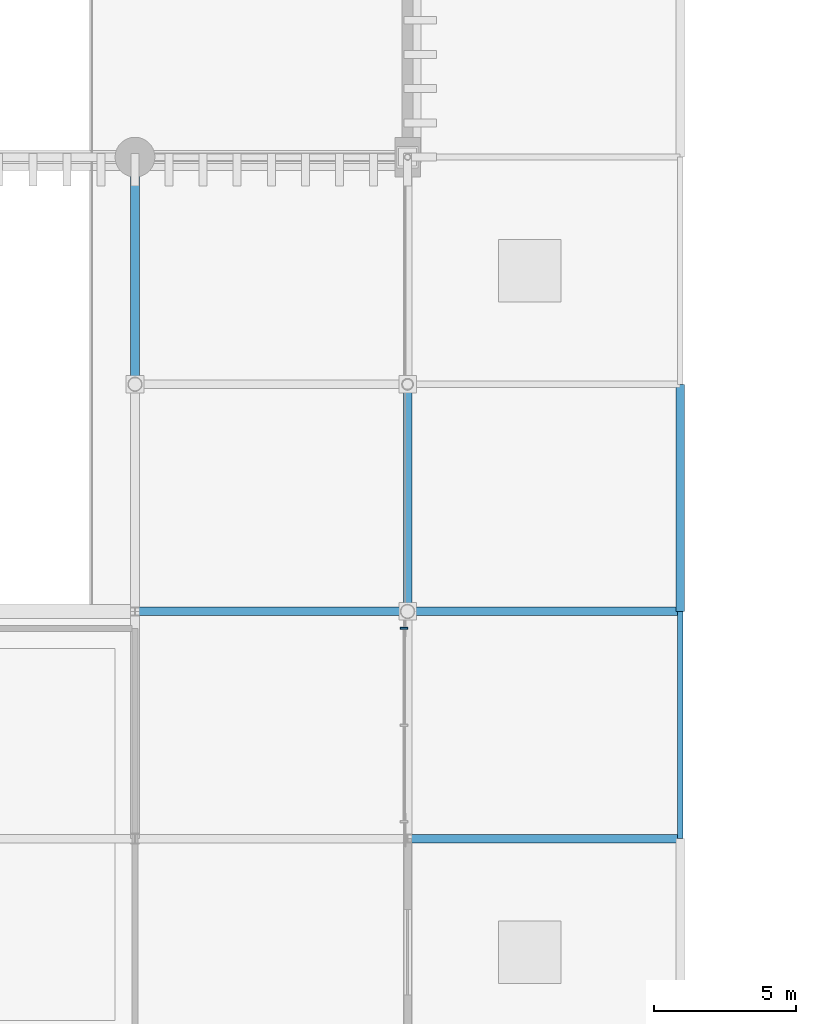
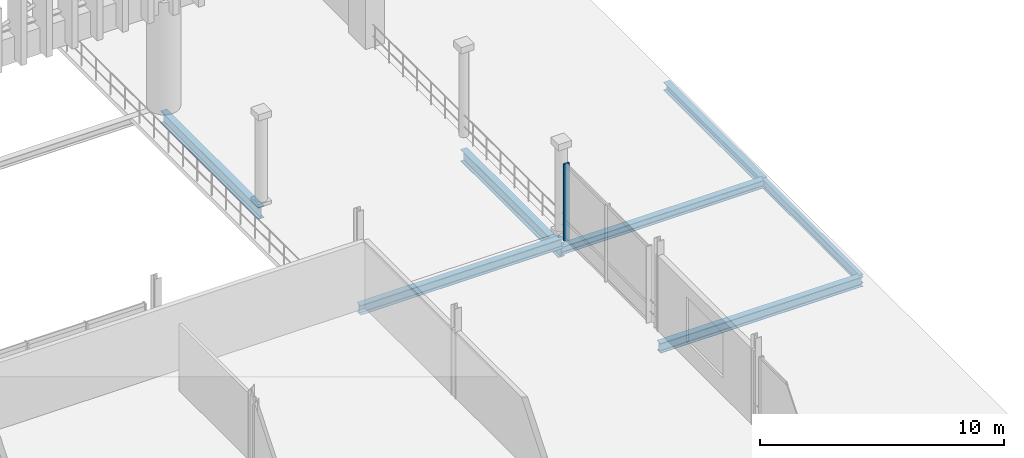
# One storey, part 45 of 193: 7 beams, 1 member, 1 element without a shape of its own.
"""IFC4 building model written with IfcOpenShell, lengths in metres."""

from ifc_helpers import new_model, si_unit, direction, frame, origin, origin_2d, place, context, subcontext, project, spatial, rectangle, i_section, extrude, material, material_profile, profile_set, type_object, element, aggregate, save


model = new_model("IFC4")

# Units and contexts
model_context = context("Model", 3, precision=1e-05, world=origin(), true_north=direction((0.0, 1.0)))
body_context = subcontext(model_context, "Body", "Model", "MODEL_VIEW")
ifc_project = project(units=[si_unit("LENGTHUNIT", "METRE"), si_unit("AREAUNIT", "SQUARE_METRE"), si_unit("VOLUMEUNIT", "CUBIC_METRE"), si_unit("PLANEANGLEUNIT", "RADIAN"), si_unit("MASSUNIT", "GRAM", prefix="KILO")], contexts=[model_context])

# Site, building, storey
site_placement = place(None, origin())
site = spatial("IfcSite", under=ifc_project, at=site_placement, CompositionType="ELEMENT")
building_placement = place(site_placement, origin())
building = spatial("IfcBuilding", under=site, at=building_placement, Name="Danafjord Basin Convention Centre", CompositionType="ELEMENT")
storey_placement = place(building_placement, frame((0.0, 0.0, 11.39990234375)))
storey = spatial("IfcBuildingStorey", under=building, at=storey_placement, Name="L02", CompositionType="ELEMENT", Elevation=11.39990234375)

# Beams
ifc_material_1 = material(Name="Steel S355", Category="steel")
ifc_material_profile_1 = material_profile(ifc_material_1, i_section(OverallWidth=0.300048828125, OverallDepth=0.389892578125, WebThickness=0.010986328125, FlangeThickness=0.01904296875, FilletRadius=0.027099609375, at=origin_2d()), Name="HEA 400")
ifc_profile_set_1 = profile_set([ifc_material_profile_1], Name="Steel S355")
beam_type_1 = type_object("IfcBeamType", Name="BEAM-BM-HEA400", PredefinedType="BEAM", material=ifc_profile_set_1)
beam_1_placement = place(storey_placement, frame((115.199951171875, 40.0, -0.85986328125), z_axis=(1.0, 0.0, 0.0), x_axis=(0.0, 1.0, 0.0)))
element("IfcBeam", 1, at=beam_1_placement, inside=storey, type_object=beam_type_1, Name="L02 girder BM-HEA400", PredefinedType="BEAM", context=body_context, shape_type="SweptSolid", body=[
    extrude(i_section(OverallWidth=0.300048828125, OverallDepth=0.389892578125, WebThickness=0.010986328125, FlangeThickness=0.01904296875, FilletRadius=0.027099609375, at=origin_2d()), origin(), (0.0, 0.0, 1.0), 9.60009765625),
])
ifc_material_profile_2 = material_profile(ifc_material_1, i_section(OverallWidth=0.300048828125, OverallDepth=0.489990234375, WebThickness=0.011962890625, FlangeThickness=0.02294921875, FilletRadius=0.027099609375, at=origin_2d()), Name="HEA 500")
ifc_profile_set_2 = profile_set([ifc_material_profile_2], Name="Steel S355")
beam_type_2 = type_object("IfcBeamType", Name="BEAM-BM-HEA500", PredefinedType="BEAM", material=ifc_profile_set_2)
beam_2_placement = place(storey_placement, frame((105.60009765625, 40.0, -0.494873046875), z_axis=(1.0, 0.0, 0.0), x_axis=(0.0, 1.0, 0.0)))
element("IfcBeam", 2, at=beam_2_placement, inside=storey, type_object=beam_type_2, Name="L02 girder BM-HEA500", PredefinedType="BEAM", context=body_context, shape_type="SweptSolid", body=[
    extrude(i_section(OverallWidth=0.300048828125, OverallDepth=0.489990234375, WebThickness=0.011962890625, FlangeThickness=0.02294921875, FilletRadius=0.027099609375, at=origin_2d()), origin(), (0.0, 0.0, 1.0), 9.599853515625),
])
beam_3_placement = place(storey_placement, frame((115.199951171875, 32.0, -0.909912109375), z_axis=(1.0, 0.0, 0.0), x_axis=(0.0, 1.0, 0.0)))
element("IfcBeam", 3, at=beam_3_placement, inside=storey, type_object=beam_type_2, Name="L02 girder BM-HEA500", PredefinedType="BEAM", context=body_context, shape_type="SweptSolid", body=[
    extrude(i_section(OverallWidth=0.300048828125, OverallDepth=0.489990234375, WebThickness=0.011962890625, FlangeThickness=0.02294921875, FilletRadius=0.027099609375, at=origin_2d()), origin(), (0.0, 0.0, 1.0), 9.60009765625),
])
ifc_material_profile_3 = material_profile(ifc_material_1, i_section(OverallWidth=0.300048828125, OverallDepth=0.60009765625, WebThickness=0.015380859375, FlangeThickness=0.030029296875, FilletRadius=0.027099609375, at=origin_2d()), Name="HEB 600")
ifc_profile_set_3 = profile_set([ifc_material_profile_3], Name="Steel S355")
beam_type_3 = type_object("IfcBeamType", Name="BEAM-BM-HEB600", PredefinedType="BEAM", material=ifc_profile_set_3)
for number, where, z_axis, x_axis, name in (
    (4, (105.60009765625, 48.0, -0.52978515625), (0.0, 1.0, 0.0), (-1.0, 0.0, 0.0), "L02 transverse girder BM-HEB600"),
    (5, (115.199951171875, 40.0, -0.96484375), (0.0, 1.0, 0.0), (-1.0, 0.0, 0.0), "L02 transverse girder BM-HEB600"),
):
    element("IfcBeam", number, at=place(storey_placement, frame(where, z_axis=z_axis, x_axis=x_axis)), inside=storey, type_object=beam_type_3, Name=name, PredefinedType="BEAM", context=body_context, shape_type="SweptSolid", body=[
        extrude(i_section(OverallWidth=0.300048828125, OverallDepth=0.60009765625, WebThickness=0.015380859375, FlangeThickness=0.030029296875, FilletRadius=0.027099609375, at=origin_2d()), origin(), (0.0, 0.0, 1.0), 8.0),
    ])
ifc_material_profile_4 = material_profile(ifc_material_1, i_section(OverallWidth=0.300048828125, OverallDepth=0.39990234375, WebThickness=0.013427734375, FlangeThickness=0.02392578125, FilletRadius=0.027099609375, at=origin_2d()), Name="HEB 400")
ifc_profile_set_4 = profile_set([ifc_material_profile_4], Name="Steel S355")
beam_type_4 = type_object("IfcBeamType", Name="BEAM-SP-HEB400", PredefinedType="SPANDREL", material=ifc_profile_set_4)
beam_4_placement = place(storey_placement, frame((124.800048828125, 40.0, -0.864990234375), z_axis=(0.0, 1.0, 0.0), x_axis=(-1.0, 0.0, 0.0)))
element("IfcBeam", 6, at=beam_4_placement, inside=storey, type_object=beam_type_4, Name="L02 transverse girder SP-HEB400", PredefinedType="SPANDREL", context=body_context, shape_type="SweptSolid", body=[
    extrude(i_section(OverallWidth=0.300048828125, OverallDepth=0.39990234375, WebThickness=0.013427734375, FlangeThickness=0.02392578125, FilletRadius=0.027099609375, at=origin_2d()), origin(), (0.0, 0.0, 1.0), 8.0),
])
ifc_material_profile_5 = material_profile(ifc_material_1, i_section(OverallWidth=0.18994140625, OverallDepth=0.449951171875, WebThickness=0.009521484375, FlangeThickness=0.0146484375, FilletRadius=0.02099609375, at=origin_2d()), Name="IPE 450")
ifc_profile_set_5 = profile_set([ifc_material_profile_5], Name="Steel S355")
beam_type_5 = type_object("IfcBeamType", Name="BEAM-SP-IPE450", PredefinedType="SPANDREL", material=ifc_profile_set_5)
beam_5_placement = place(storey_placement, frame((124.800048828125, 32.0, -0.889892578125), z_axis=(0.0, 1.0, 0.0), x_axis=(-1.0, 0.0, 0.0)))
element("IfcBeam", 7, at=beam_5_placement, inside=storey, type_object=beam_type_5, Name="L02 transverse girder SP-IPE450", PredefinedType="SPANDREL", context=body_context, shape_type="SweptSolid", body=[
    extrude(i_section(OverallWidth=0.18994140625, OverallDepth=0.449951171875, WebThickness=0.009521484375, FlangeThickness=0.0146484375, FilletRadius=0.02099609375, at=origin_2d()), origin(), (0.0, 0.0, 1.0), 8.0),
])

# Curtain wall, member
ifc_material_2 = material(Name="Anodised aluminium and triple glazing", Category="aluminium")
curtain_wall_type = type_object("IfcCurtainWallType", Name="CW-CW-TERR", PredefinedType="NOTDEFINED", material=ifc_material_2)
curtain_wall_placement = place(storey_placement, origin())
curtain_wall = element("IfcCurtainWall", 8, at=curtain_wall_placement, inside=storey, type_object=curtain_wall_type, Name="L02 CW-TERR unitised curtain wall bay 73", PredefinedType="NOTDEFINED")
ifc_material_3 = material(Name="Anodised aluminium EN AW-6060", Category="aluminium")
ifc_material_profile_6 = material_profile(ifc_material_3, rectangle(XDim=0.070068359375, YDim=0.260009765625, at=origin_2d()), Name="MULL 70x260")
ifc_profile_set_6 = profile_set([ifc_material_profile_6], Name="Anodised aluminium EN AW-6060")
member_type = type_object("IfcMemberType", Name="MEM-ML-260", PredefinedType="MULLION", material=ifc_profile_set_6)
member_placement = place(storey_placement, frame((115.080078125, 39.39990234375, -0.02490234375), z_axis=(0.0, 0.0, 1.0), x_axis=(0.0, 1.0, 0.0)))
member = element("IfcMember", 9, at=member_placement, type_object=member_type, Name="CW-L02-073 mullion 3", PredefinedType="MULLION", context=body_context, shape_type="SweptSolid", body=[
    extrude(rectangle(XDim=0.070068359375, YDim=0.260009765625, at=origin_2d()), origin(), (0.0, 0.0, 1.0), 3.8701171875),
])
aggregate(curtain_wall, [member])

save(model, "model.ifc")
